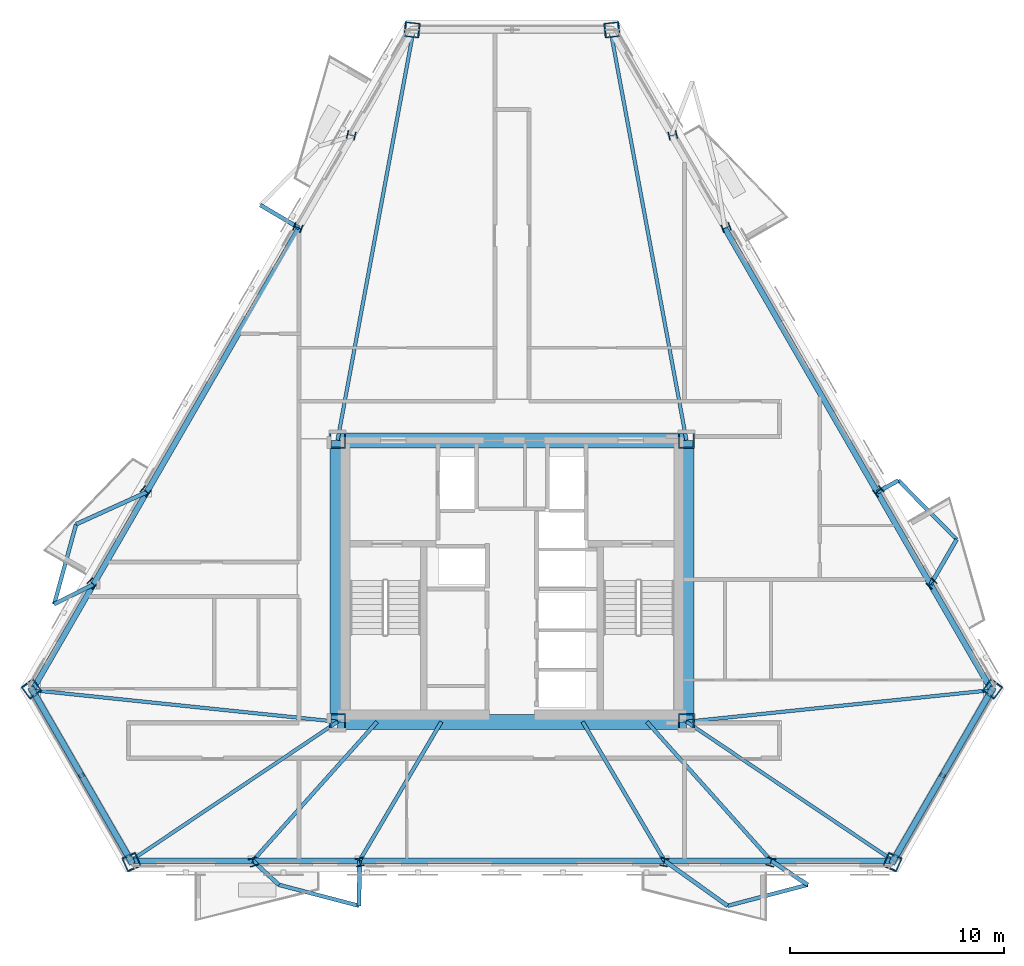
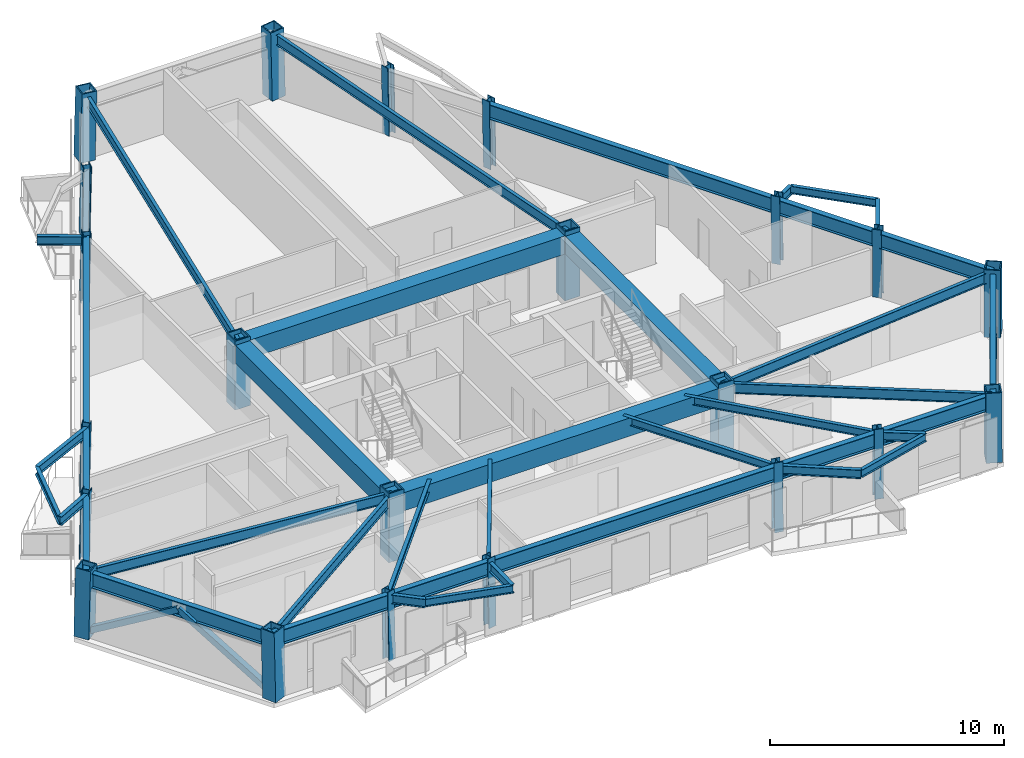
# One storey, part 1 of 9: 40 beams, 22 columns, 4 members.
"""IFC4 building model written with IfcOpenShell, lengths in metres."""

from ifc_helpers import new_model, si_unit, direction, frame, origin, origin_2d, place, context, subcontext, project, spatial, rectangle, hollow_rectangle, i_section, extrude, material, material_profile, profile_set, type_object, element, save


model = new_model("IFC4")

# Units and contexts
model_context = context("Model", 3, precision=1e-05, world=origin(), true_north=direction((0.0, 1.0)))
body_context = subcontext(model_context, "Body", "Model", "MODEL_VIEW")
ifc_project = project(units=[si_unit("LENGTHUNIT", "METRE"), si_unit("AREAUNIT", "SQUARE_METRE"), si_unit("VOLUMEUNIT", "CUBIC_METRE"), si_unit("PLANEANGLEUNIT", "RADIAN"), si_unit("MASSUNIT", "GRAM", prefix="KILO")], contexts=[model_context])

# Site, building, storey
site_placement = place(None, origin())
site = spatial("IfcSite", under=ifc_project, at=site_placement, CompositionType="ELEMENT")
building_placement = place(site_placement, origin())
building = spatial("IfcBuilding", under=site, at=building_placement, Name="Oramaril Tower", CompositionType="ELEMENT")
storey_placement = place(building_placement, frame((0.0, 0.0, 153.0)))
storey = spatial("IfcBuildingStorey", under=building, at=storey_placement, Name="L40", CompositionType="ELEMENT", Elevation=153.0)

# Columns
ifc_material_1 = material(Name="Steel ASTM A572 Gr 50", Category="steel")
ifc_material_profile_1 = material_profile(ifc_material_1, hollow_rectangle(XDim=0.75, YDim=0.75, WallThickness=0.06005859375, at=origin_2d()), Name="BOX750X750X60")
ifc_profile_set_1 = profile_set([ifc_material_profile_1], Name="Steel ASTM A572 Gr 50")
column_type_1 = type_object("IfcColumnType", Name="CT-CC4", PredefinedType="COLUMN", material=ifc_profile_set_1)
for number, where, z_axis, x_axis, name in (
    (1, (29.35009765625, 11.0, 0.0), (0.0, 0.0, 1.0), (1.0, 0.0, 0.0), "L40 Core Column CC-1"),
    (2, (45.64990234375, 11.0, 0.0), (0.0, 0.0, 1.0), (1.0, 0.0, 0.0), "L40 Core Column CC-2"),
    (3, (45.64990234375, 24.14990234375, 0.0), (0.0, 0.0, 1.0), (1.0, 0.0, 0.0), "L40 Core Column CC-3"),
    (4, (29.35009765625, 24.14990234375, 0.0), (0.0, 0.0, 1.0), (1.0, 0.0, 0.0), "L40 Core Column CC-4"),
):
    element("IfcColumn", number, at=place(storey_placement, frame(where, z_axis=z_axis, x_axis=x_axis)), inside=storey, type_object=column_type_1, Name=name, PredefinedType="COLUMN", context=body_context, shape_type="SweptSolid", body=[
        extrude(hollow_rectangle(XDim=0.75, YDim=0.75, WallThickness=0.06005859375, at=origin_2d()), origin(), (0.0, 0.0, 1.0), 3.60009765625),
    ])
ifc_material_2 = material(Name="Steel ASTM A572 Gr 50", Category="steel")
ifc_material_profile_2 = material_profile(ifc_material_2, hollow_rectangle(XDim=0.699951171875, YDim=0.699951171875, WallThickness=0.054931640625, at=origin_2d()), Name="BOX700X700X55")
ifc_profile_set_2 = profile_set([ifc_material_profile_2], Name="Steel ASTM A572 Gr 50")
column_type_2 = type_object("IfcColumnType", Name="CT-TC4", PredefinedType="COLUMN", material=ifc_profile_set_2)
for number, where, z_axis, x_axis, name in (
    (5, (15.048095703125, 12.5439453125, 0.00439453125), (0.013797331752, -0.018758933811, 0.999728831253), (0.805569064221, 0.592501884191, 0.0), "L40 Tube Column TC-01"),
    (6, (19.730224609375, 4.43408203125, 0.00439453125), (-0.009311500184, 0.021341686553, 0.999728877436), (-0.916558831729, -0.399899872442, 0.0), "L40 Tube Column TC-02"),
    (7, (55.269775390625, 4.43408203125, 0.00439453125), (0.009311500184, 0.021341686553, 0.999728877436), (-0.916558831729, 0.399899872442, 0.0), "L40 Tube Column TC-03"),
    (8, (59.951904296875, 12.5439453125, 0.00439453125), (-0.013797331752, -0.018758933811, 0.999728831253), (0.805569064221, -0.592501884191, 0.0), "L40 Tube Column TC-04"),
    (9, (42.18212890625, 43.322021484375, 0.00439453125), (-0.023108849708, -0.002582753791, 0.999729618671), (0.111073132196, -0.993812235437, 0.0), "L40 Tube Column TC-05"),
    (10, (32.81787109375, 43.322021484375, 0.00439453125), (0.023108849708, -0.002582753791, 0.999729618671), (0.111073132196, 0.993812235437, 0.0), "L40 Tube Column TC-06"),
):
    element("IfcColumn", number, at=place(storey_placement, frame(where, z_axis=z_axis, x_axis=x_axis)), inside=storey, type_object=column_type_2, Name=name, PredefinedType="COLUMN", context=body_context, shape_type="SweptSolid", body=[
        extrude(hollow_rectangle(XDim=0.699951171875, YDim=0.699951171875, WallThickness=0.054931640625, at=origin_2d()), origin(), (0.0, 0.0, 1.0), 3.592041015625),
    ])
ifc_material_3 = material(Name="Steel ASTM A572 Gr 50", Category="steel")
ifc_material_profile_3 = material_profile(ifc_material_3, i_section(OverallWidth=0.39892578125, OverallDepth=0.385986328125, WebThickness=0.02099609375, FlangeThickness=0.033203125, at=origin_2d()), Name="W14X176")
ifc_profile_set_3 = profile_set([ifc_material_profile_3], Name="Steel ASTM A572 Gr 50")
column_type_3 = type_object("IfcColumnType", Name="CT-TF4", PredefinedType="COLUMN", material=ifc_profile_set_3)
column_1_placement = place(storey_placement, frame((25.41650390625, 4.43408203125, 0.00439453125), z_axis=(-0.006321093137, 0.02134218543, 0.99975224676), x_axis=(-0.958828912572, -0.283984359456, 0.0)))
element("IfcColumn", 11, at=column_1_placement, inside=storey, type_object=column_type_3, Name="L40 Tube Column TC-07", PredefinedType="COLUMN", context=body_context, shape_type="SweptSolid", body=[
    extrude(i_section(OverallWidth=0.39892578125, OverallDepth=0.385986328125, WebThickness=0.02099609375, FlangeThickness=0.033203125, at=origin_2d()), origin(), (0.0, 0.0, 1.0), 3.592041015625),
])
for number, where, z_axis, x_axis, name in (
    (12, (30.39208984375, 4.43408203125, 0.00439453125), (-0.003738329451, 0.021342462686, 0.999765234532), (-0.985003822672, -0.17253251671, 0.0), "L40 Tube Column TC-08"),
    (13, (44.60791015625, 4.43408203125, 0.00439453125), (0.003738329451, 0.021342462686, 0.999765234532), (-0.985003822672, 0.17253251671, 0.0), "L40 Tube Column TC-09"),
):
    element("IfcColumn", number, at=place(storey_placement, frame(where, z_axis=z_axis, x_axis=x_axis)), inside=storey, type_object=column_type_3, Name=name, PredefinedType="COLUMN", context=body_context, shape_type="SweptSolid", body=[
        extrude(i_section(OverallWidth=0.39892578125, OverallDepth=0.385986328125, WebThickness=0.02099609375, FlangeThickness=0.033203125, at=origin_2d()), origin(), (0.0, 0.0, 1.0), 3.591796875),
    ])
for number, where, z_axis, x_axis, name in (
    (14, (49.58349609375, 4.43408203125, 0.00439453125), (0.006321093137, 0.02134218543, 0.99975224676), (-0.958828912572, 0.283984359456, 0.0), "L40 Tube Column TC-10"),
    (15, (57.10888671875, 17.468505859375, 0.00439453125), (-0.015360919156, -0.016176543182, 0.999751149843), (0.725151558483, -0.68858929503, 0.0), "L40 Tube Column TC-11"),
):
    element("IfcColumn", number, at=place(storey_placement, frame(where, z_axis=z_axis, x_axis=x_axis)), inside=storey, type_object=column_type_3, Name=name, PredefinedType="COLUMN", context=body_context, shape_type="SweptSolid", body=[
        extrude(i_section(OverallWidth=0.39892578125, OverallDepth=0.385986328125, WebThickness=0.02099609375, FlangeThickness=0.033203125, at=origin_2d()), origin(), (0.0, 0.0, 1.0), 3.592041015625),
    ])
for number, where, z_axis, x_axis, name in (
    (16, (54.62109375, 21.77734375, 0.00439453125), (-0.016652541963, -0.013933759602, 0.999764243804), (0.641722632674, -0.766936804903, 0.0), "L40 Tube Column TC-12"),
    (17, (47.51318359375, 34.088623046875, 0.00439453125), (-0.020322934204, -0.007408695078, 0.999766017417), (0.34249983262, -0.939517889481, 0.0), "L40 Tube Column TC-13"),
):
    element("IfcColumn", number, at=place(storey_placement, frame(where, z_axis=z_axis, x_axis=x_axis)), inside=storey, type_object=column_type_3, Name=name, PredefinedType="COLUMN", context=body_context, shape_type="SweptSolid", body=[
        extrude(i_section(OverallWidth=0.39892578125, OverallDepth=0.385986328125, WebThickness=0.02099609375, FlangeThickness=0.033203125, at=origin_2d()), origin(), (0.0, 0.0, 1.0), 3.591796875),
    ])
for number, where, z_axis, x_axis, name in (
    (18, (45.025390625, 38.397705078125, 0.00439453125), (-0.02168200686, -0.005233587863, 0.999751219122), (0.234640533104, -0.972082208573, 0.0), "L40 Tube Column TC-14"),
    (19, (29.974609375, 38.397705078125, 0.00439453125), (0.02168200686, -0.005233587863, 0.999751219122), (0.234640533104, 0.972082208573, 0.0), "L40 Tube Column TC-15"),
):
    element("IfcColumn", number, at=place(storey_placement, frame(where, z_axis=z_axis, x_axis=x_axis)), inside=storey, type_object=column_type_3, Name=name, PredefinedType="COLUMN", context=body_context, shape_type="SweptSolid", body=[
        extrude(i_section(OverallWidth=0.39892578125, OverallDepth=0.385986328125, WebThickness=0.02099609375, FlangeThickness=0.033203125, at=origin_2d()), origin(), (0.0, 0.0, 1.0), 3.592041015625),
    ])
for number, where, z_axis, x_axis, name in (
    (20, (27.48681640625, 34.088623046875, 0.00439453125), (0.020322934204, -0.007408695078, 0.999766017417), (0.34249983262, 0.939517889481, 0.0), "L40 Tube Column TC-16"),
    (21, (20.37890625, 21.77734375, 0.00439453125), (0.016652541963, -0.013933759602, 0.999764243804), (0.641722632674, 0.766936804903, 0.0), "L40 Tube Column TC-17"),
):
    element("IfcColumn", number, at=place(storey_placement, frame(where, z_axis=z_axis, x_axis=x_axis)), inside=storey, type_object=column_type_3, Name=name, PredefinedType="COLUMN", context=body_context, shape_type="SweptSolid", body=[
        extrude(i_section(OverallWidth=0.39892578125, OverallDepth=0.385986328125, WebThickness=0.02099609375, FlangeThickness=0.033203125, at=origin_2d()), origin(), (0.0, 0.0, 1.0), 3.591796875),
    ])
column_2_placement = place(storey_placement, frame((17.89111328125, 17.468505859375, 0.00439453125), z_axis=(0.015360919156, -0.016176543182, 0.999751149843), x_axis=(0.725151558483, 0.68858929503, 0.0)))
element("IfcColumn", 22, at=column_2_placement, inside=storey, type_object=column_type_3, Name="L40 Tube Column TC-18", PredefinedType="COLUMN", context=body_context, shape_type="SweptSolid", body=[
    extrude(i_section(OverallWidth=0.39892578125, OverallDepth=0.385986328125, WebThickness=0.02099609375, FlangeThickness=0.033203125, at=origin_2d()), origin(), (0.0, 0.0, 1.0), 3.592041015625),
])

# Beams
ifc_material_4 = material(Name="Steel ASTM A572 Gr 50", Category="steel")
ifc_material_profile_4 = material_profile(ifc_material_4, i_section(OverallWidth=0.19091796875, OverallDepth=0.45703125, WebThickness=0.009033203125, FlangeThickness=0.014404296875, at=origin_2d()), Name="W18X50")
ifc_profile_set_4 = profile_set([ifc_material_profile_4], Name="Steel ASTM A572 Gr 50")
beam_type_1 = type_object("IfcBeamType", Name="BT-BB1", PredefinedType="BEAM", material=ifc_profile_set_4)
beam_1_placement = place(storey_placement, frame((25.393798828125, 4.5107421875, 3.151611328125), z_axis=(0.732971770745, -0.680259056015, 0.0), x_axis=(0.680259056015, 0.732971770745, 0.0)))
element("IfcBeam", 23, at=beam_1_placement, inside=storey, type_object=beam_type_1, Name="L40 Balcony Column-Framed Cantilever 01.1", PredefinedType="BEAM", context=body_context, shape_type="SweptSolid", body=[
    extrude(i_section(OverallWidth=0.19091796875, OverallDepth=0.45703125, WebThickness=0.009033203125, FlangeThickness=0.014404296875, at=origin_2d()), origin(), (0.0, 0.0, 1.0), 1.658203125),
])
beam_2_placement = place(storey_placement, frame((30.378662109375, 4.5107421875, 3.151611328125), z_axis=(-0.012043133503, -0.999927478838, 0.0), x_axis=(0.999927478838, -0.012043133503, 0.0)))
element("IfcBeam", 24, at=beam_2_placement, inside=storey, type_object=beam_type_1, Name="L40 Balcony Column-Framed Cantilever 01.2", PredefinedType="BEAM", context=body_context, shape_type="SweptSolid", body=[
    extrude(i_section(OverallWidth=0.19091796875, OverallDepth=0.45703125, WebThickness=0.009033203125, FlangeThickness=0.014404296875, at=origin_2d()), origin(), (0.0, 0.0, 1.0), 2.1083984375),
])
beam_3_placement = place(storey_placement, frame((44.621337890625, 4.5107421875, 3.151611328125), z_axis=(0.813642479288, -0.581365561328, 0.0), x_axis=(0.581365561328, 0.813642479288, 0.0)))
element("IfcBeam", 25, at=beam_3_placement, inside=storey, type_object=beam_type_1, Name="L40 Balcony Column-Framed Cantilever 02.1", PredefinedType="BEAM", context=body_context, shape_type="SweptSolid", body=[
    extrude(i_section(OverallWidth=0.19091796875, OverallDepth=0.45703125, WebThickness=0.009033203125, FlangeThickness=0.014404296875, at=origin_2d()), origin(), (0.0, 0.0, 1.0), 3.626220703125),
])
beam_4_placement = place(storey_placement, frame((49.606201171875, 4.5107421875, 3.151611328125), z_axis=(0.834717890754, -0.550677803125, 0.0), x_axis=(0.550677803125, 0.834717890754, 0.0)))
element("IfcBeam", 26, at=beam_4_placement, inside=storey, type_object=beam_type_1, Name="L40 Balcony Column-Framed Cantilever 02.2", PredefinedType="BEAM", context=body_context, shape_type="SweptSolid", body=[
    extrude(i_section(OverallWidth=0.19091796875, OverallDepth=0.45703125, WebThickness=0.009033203125, FlangeThickness=0.014404296875, at=origin_2d()), origin(), (0.0, 0.0, 1.0), 2.04833984375),
])
beam_5_placement = place(storey_placement, frame((57.0537109375, 17.410400390625, 3.151611328125), z_axis=(0.500573448592, 0.865694069845, 0.0), x_axis=(-0.865694069845, 0.500573448592, 0.0)))
element("IfcBeam", 27, at=beam_5_placement, inside=storey, type_object=beam_type_1, Name="L40 Balcony Column-Framed Cantilever 03.1", PredefinedType="BEAM", context=body_context, shape_type="SweptSolid", body=[
    extrude(i_section(OverallWidth=0.19091796875, OverallDepth=0.45703125, WebThickness=0.009033203125, FlangeThickness=0.014404296875, at=origin_2d()), origin(), (0.0, 0.0, 1.0), 2.433349609375),
])
beam_6_placement = place(storey_placement, frame((54.561279296875, 21.727294921875, 3.151611328125), z_axis=(0.877100608103, 0.480306697086, 0.0), x_axis=(-0.480306697086, 0.877100608103, 0.0)))
element("IfcBeam", 28, at=beam_6_placement, inside=storey, type_object=beam_type_1, Name="L40 Balcony Column-Framed Cantilever 03.2", PredefinedType="BEAM", context=body_context, shape_type="SweptSolid", body=[
    extrude(i_section(OverallWidth=0.19091796875, OverallDepth=0.45703125, WebThickness=0.009033203125, FlangeThickness=0.014404296875, at=origin_2d()), origin(), (0.0, 0.0, 1.0), 1.12841796875),
])
beam_7_placement = place(storey_placement, frame((27.559814453125, 34.06201171875, 3.151611328125), z_axis=(-0.859935762585, 0.510402276864, 0.0), x_axis=(-0.510402276864, -0.859935762585, 0.0)))
element("IfcBeam", 29, at=beam_7_placement, inside=storey, type_object=beam_type_1, Name="L40 Balcony Column-Framed Cantilever 05.2", PredefinedType="BEAM", context=body_context, shape_type="SweptSolid", body=[
    extrude(i_section(OverallWidth=0.19091796875, OverallDepth=0.45703125, WebThickness=0.009033203125, FlangeThickness=0.014404296875, at=origin_2d()), origin(), (0.0, 0.0, 1.0), 2.10791015625),
])
beam_8_placement = place(storey_placement, frame((20.438720703125, 21.727294921875, 3.151611328125), z_axis=(-0.910313439315, -0.41391960838, 0.0), x_axis=(0.41391960838, -0.910313439315, 0.0)))
element("IfcBeam", 30, at=beam_8_placement, inside=storey, type_object=beam_type_1, Name="L40 Balcony Column-Framed Cantilever 06.1", PredefinedType="BEAM", context=body_context, shape_type="SweptSolid", body=[
    extrude(i_section(OverallWidth=0.19091796875, OverallDepth=0.45703125, WebThickness=0.009033203125, FlangeThickness=0.014404296875, at=origin_2d()), origin(), (0.0, 0.0, 1.0), 3.626220703125),
])
beam_9_placement = place(storey_placement, frame((17.9462890625, 17.410400390625, 3.151611328125), z_axis=(-0.894307965847, -0.447451966385, 0.0), x_axis=(0.447451966385, -0.894307965847, 0.0)))
element("IfcBeam", 31, at=beam_9_placement, inside=storey, type_object=beam_type_1, Name="L40 Balcony Column-Framed Cantilever 06.2", PredefinedType="BEAM", context=body_context, shape_type="SweptSolid", body=[
    extrude(i_section(OverallWidth=0.19091796875, OverallDepth=0.45703125, WebThickness=0.009033203125, FlangeThickness=0.014404296875, at=origin_2d()), origin(), (0.0, 0.0, 1.0), 2.04833984375),
])
ifc_material_5 = material(Name="Concrete C50/60", Category="concrete")
ifc_material_profile_5 = material_profile(ifc_material_5, rectangle(XDim=0.699951171875, YDim=0.949951171875, at=origin_2d()), Name="CB700X950")
ifc_profile_set_5 = profile_set([ifc_material_profile_5], Name="Concrete C50/60")
beam_type_2 = type_object("IfcBeamType", Name="BT-CB1", PredefinedType="BEAM", material=ifc_profile_set_5)
beam_10_placement = place(storey_placement, frame((29.35009765625, 11.0, 2.905029296875), z_axis=(1.0, 0.0, 0.0), x_axis=(0.0, 1.0, 0.0)))
element("IfcBeam", 32, at=beam_10_placement, inside=storey, type_object=beam_type_2, Name="L40 Core Header Beam CB-1", PredefinedType="BEAM", context=body_context, shape_type="SweptSolid", body=[
    extrude(rectangle(XDim=0.699951171875, YDim=0.949951171875, at=origin_2d()), origin(), (0.0, 0.0, 1.0), 16.2998046875),
])
beam_11_placement = place(storey_placement, frame((45.64990234375, 11.0, 2.905029296875), z_axis=(0.0, 1.0, 0.0), x_axis=(-1.0, 0.0, 0.0)))
element("IfcBeam", 33, at=beam_11_placement, inside=storey, type_object=beam_type_2, Name="L40 Core Header Beam CB-2", PredefinedType="BEAM", context=body_context, shape_type="SweptSolid", body=[
    extrude(rectangle(XDim=0.699951171875, YDim=0.949951171875, at=origin_2d()), origin(), (0.0, 0.0, 1.0), 13.14990234375),
])
beam_12_placement = place(storey_placement, frame((45.64990234375, 24.14990234375, 2.905029296875), z_axis=(-1.0, 0.0, 0.0), x_axis=(0.0, -1.0, 0.0)))
element("IfcBeam", 34, at=beam_12_placement, inside=storey, type_object=beam_type_2, Name="L40 Core Header Beam CB-3", PredefinedType="BEAM", context=body_context, shape_type="SweptSolid", body=[
    extrude(rectangle(XDim=0.699951171875, YDim=0.949951171875, at=origin_2d()), origin(), (0.0, 0.0, 1.0), 16.2998046875),
])
beam_13_placement = place(storey_placement, frame((29.35009765625, 24.14990234375, 2.905029296875), z_axis=(0.0, -1.0, 0.0), x_axis=(1.0, 0.0, 0.0)))
element("IfcBeam", 35, at=beam_13_placement, inside=storey, type_object=beam_type_2, Name="L40 Core Header Beam CB-4", PredefinedType="BEAM", context=body_context, shape_type="SweptSolid", body=[
    extrude(rectangle(XDim=0.699951171875, YDim=0.949951171875, at=origin_2d()), origin(), (0.0, 0.0, 1.0), 13.14990234375),
])
ifc_material_6 = material(Name="Steel ASTM A572 Gr 50", Category="steel")
ifc_material_profile_6 = material_profile(ifc_material_6, i_section(OverallWidth=0.166015625, OverallDepth=0.528076171875, WebThickness=0.009765625, FlangeThickness=0.013671875, at=origin_2d()), Name="W21X50")
ifc_profile_set_6 = profile_set([ifc_material_profile_6], Name="Steel ASTM A572 Gr 50")
beam_type_3 = type_object("IfcBeamType", Name="BT-FB3", PredefinedType="BEAM", material=ifc_profile_set_6)
beam_14_placement = place(storey_placement, frame((29.35009765625, 11.0, 3.115966796875), z_axis=(-0.99467626742, 0.103049129216, 0.0), x_axis=(-0.103049129216, -0.99467626742, 0.0)))
element("IfcBeam", 36, at=beam_14_placement, inside=storey, type_object=beam_type_3, Name="L40 Radial Primary Beam RB-01", PredefinedType="BEAM", context=body_context, shape_type="SweptSolid", body=[
    extrude(i_section(OverallWidth=0.166015625, OverallDepth=0.528076171875, WebThickness=0.009765625, FlangeThickness=0.013671875, at=origin_2d()), origin(), (0.0, 0.0, 1.0), 14.32861328125),
])
for number, where, z_axis, x_axis, name in (
    (37, (29.35009765625, 11.0, 3.115966796875), (-0.829912942068, -0.557892918568, 0.0), (0.557892918568, -0.829912942068, 0.0), "L40 Radial Primary Beam RB-02"),
    (38, (45.64990234375, 11.0, 3.115966796875), (0.829912942068, -0.557892918568, 0.0), (0.557892918568, 0.829912942068, 0.0), "L40 Radial Primary Beam RB-03"),
):
    element("IfcBeam", number, at=place(storey_placement, frame(where, z_axis=z_axis, x_axis=x_axis)), inside=storey, type_object=beam_type_3, Name=name, PredefinedType="BEAM", context=body_context, shape_type="SweptSolid", body=[
        extrude(i_section(OverallWidth=0.166015625, OverallDepth=0.528076171875, WebThickness=0.009765625, FlangeThickness=0.013671875, at=origin_2d()), origin(), (0.0, 0.0, 1.0), 11.6318359375),
    ])
beam_15_placement = place(storey_placement, frame((45.64990234375, 11.0, 3.115966796875), z_axis=(0.99467626742, 0.103049129216, 0.0), x_axis=(-0.103049129216, 0.99467626742, 0.0)))
element("IfcBeam", 39, at=beam_15_placement, inside=storey, type_object=beam_type_3, Name="L40 Radial Primary Beam RB-04", PredefinedType="BEAM", context=body_context, shape_type="SweptSolid", body=[
    extrude(i_section(OverallWidth=0.166015625, OverallDepth=0.528076171875, WebThickness=0.009765625, FlangeThickness=0.013671875, at=origin_2d()), origin(), (0.0, 0.0, 1.0), 14.32861328125),
])
for number, where, z_axis, x_axis, name in (
    (40, (45.64990234375, 24.14990234375, 3.115966796875), (-0.18219377882, 0.983262643936, 0.0), (-0.983262643936, -0.18219377882, 0.0), "L40 Radial Primary Beam RB-05"),
    (41, (29.35009765625, 24.14990234375, 3.115966796875), (0.18219377882, 0.983262643936, 0.0), (-0.983262643936, 0.18219377882, 0.0), "L40 Radial Primary Beam RB-06"),
):
    element("IfcBeam", number, at=place(storey_placement, frame(where, z_axis=z_axis, x_axis=x_axis)), inside=storey, type_object=beam_type_3, Name=name, PredefinedType="BEAM", context=body_context, shape_type="SweptSolid", body=[
        extrude(i_section(OverallWidth=0.166015625, OverallDepth=0.528076171875, WebThickness=0.009765625, FlangeThickness=0.013671875, at=origin_2d()), origin(), (0.0, 0.0, 1.0), 19.489013671875),
    ])
ifc_material_7 = material(Name="Steel ASTM A572 Gr 50", Category="steel")
ifc_material_profile_7 = material_profile(ifc_material_7, i_section(OverallWidth=0.177978515625, OverallDepth=0.404052734375, WebThickness=0.007568359375, FlangeThickness=0.010986328125, at=origin_2d()), Name="W16X36")
ifc_profile_set_7 = profile_set([ifc_material_profile_7], Name="Steel ASTM A572 Gr 50")
beam_type_4 = type_object("IfcBeamType", Name="BT-SB1", PredefinedType="BEAM", material=ifc_profile_set_7)
beam_16_placement = place(storey_placement, frame((31.199951171875, 11.0, 3.177978515625), z_axis=(-0.66679322034, -0.745242780112, 0.0), x_axis=(0.745242780112, -0.66679322034, 0.0)))
element("IfcBeam", 42, at=beam_16_placement, inside=storey, type_object=beam_type_4, Name="L40 Secondary Floor Beam SB-01", PredefinedType="BEAM", context=body_context, shape_type="SweptSolid", body=[
    extrude(i_section(OverallWidth=0.177978515625, OverallDepth=0.404052734375, WebThickness=0.007568359375, FlangeThickness=0.010986328125, at=origin_2d()), origin(), (0.0, 0.0, 1.0), 8.70751953125),
])
for number, where, z_axis, x_axis, name in (
    (43, (34.199951171875, 11.0, 3.177978515625), (-0.507422433808, -0.861697437427, 0.0), (0.861697437427, -0.507422433808, 0.0), "L40 Secondary Floor Beam SB-02"),
    (44, (40.800048828125, 11.0, 3.177978515625), (0.507422433808, -0.861697437427, 0.0), (0.861697437427, 0.507422433808, 0.0), "L40 Secondary Floor Beam SB-03"),
):
    element("IfcBeam", number, at=place(storey_placement, frame(where, z_axis=z_axis, x_axis=x_axis)), inside=storey, type_object=beam_type_4, Name=name, PredefinedType="BEAM", context=body_context, shape_type="SweptSolid", body=[
        extrude(i_section(OverallWidth=0.177978515625, OverallDepth=0.404052734375, WebThickness=0.007568359375, FlangeThickness=0.010986328125, at=origin_2d()), origin(), (0.0, 0.0, 1.0), 7.53076171875),
    ])
beam_17_placement = place(storey_placement, frame((43.800048828125, 11.0, 3.177978515625), z_axis=(0.66679322034, -0.745242780112, 0.0), x_axis=(0.745242780112, 0.66679322034, 0.0)))
element("IfcBeam", 45, at=beam_17_placement, inside=storey, type_object=beam_type_4, Name="L40 Secondary Floor Beam SB-04", PredefinedType="BEAM", context=body_context, shape_type="SweptSolid", body=[
    extrude(i_section(OverallWidth=0.177978515625, OverallDepth=0.404052734375, WebThickness=0.007568359375, FlangeThickness=0.010986328125, at=origin_2d()), origin(), (0.0, 0.0, 1.0), 8.70751953125),
])
for number, where, z_axis, x_axis, name in (
    (46, (26.609130859375, 3.3828125, 3.177978515625), (0.967396513976, -0.253266627779, 0.0), (0.253266627779, 0.967396513976, 0.0), "L40 Balcony Edge Tie Beam 01"),
    (47, (47.57177734375, 2.402587890625, 3.177978515625), (0.967396513976, 0.253266627779, 0.0), (-0.253266627779, 0.967396513976, 0.0), "L40 Balcony Edge Tie Beam 02"),
):
    element("IfcBeam", number, at=place(storey_placement, frame(where, z_axis=z_axis, x_axis=x_axis)), inside=storey, type_object=beam_type_4, Name=name, PredefinedType="BEAM", context=body_context, shape_type="SweptSolid", body=[
        extrude(i_section(OverallWidth=0.177978515625, OverallDepth=0.404052734375, WebThickness=0.007568359375, FlangeThickness=0.010986328125, at=origin_2d()), origin(), (0.0, 0.0, 1.0), 3.870361328125),
    ])
for number, where, z_axis, x_axis, name in (
    (48, (58.271728515625, 19.516845703125, 3.177978515625), (-0.702994511648, 0.71119527318, 0.0), (-0.71119527318, -0.702994511648, 0.0), "L40 Balcony Edge Tie Beam 03"),
    (49, (17.1376953125, 20.226318359375, 3.177978515625), (-0.264382243015, -0.964417974521, 0.0), (0.964417974521, -0.264382243015, 0.0), "L40 Balcony Edge Tie Beam 06"),
):
    element("IfcBeam", number, at=place(storey_placement, frame(where, z_axis=z_axis, x_axis=x_axis)), inside=storey, type_object=beam_type_4, Name=name, PredefinedType="BEAM", context=body_context, shape_type="SweptSolid", body=[
        extrude(i_section(OverallWidth=0.177978515625, OverallDepth=0.404052734375, WebThickness=0.007568359375, FlangeThickness=0.010986328125, at=origin_2d()), origin(), (0.0, 0.0, 1.0), 3.8701171875),
    ])
ifc_material_8 = material(Name="Steel ASTM A572 Gr 50", Category="steel")
ifc_material_profile_8 = material_profile(ifc_material_8, i_section(OverallWidth=0.26708984375, OverallDepth=0.77001953125, WebThickness=0.015625, FlangeThickness=0.025390625, at=origin_2d()), Name="W30X132")
ifc_profile_set_8 = profile_set([ifc_material_profile_8], Name="Steel ASTM A572 Gr 50")
beam_type_5 = type_object("IfcBeamType", Name="BT-SP3", PredefinedType="SPANDREL", material=ifc_profile_set_8)
beam_18_placement = place(storey_placement, frame((15.09765625, 12.4765625, 2.9951171875), z_axis=(0.500004288242, -0.866022927952, 0.0), x_axis=(0.866022927952, 0.500004288242, 0.0)))
element("IfcBeam", 50, at=beam_18_placement, inside=storey, type_object=beam_type_5, Name="L40 Perimeter Spandrel 01", PredefinedType="SPANDREL", context=body_context, shape_type="SweptSolid", body=[
    extrude(i_section(OverallWidth=0.26708984375, OverallDepth=0.77001953125, WebThickness=0.015625, FlangeThickness=0.025390625, at=origin_2d()), origin(), (0.0, 0.0, 1.0), 9.1982421875),
])
beam_19_placement = place(storey_placement, frame((19.69677734375, 4.5107421875, 2.9951171875), z_axis=(1.0, 0.0, 0.0), x_axis=(0.0, 1.0, 0.0)))
element("IfcBeam", 51, at=beam_19_placement, inside=storey, type_object=beam_type_5, Name="L40 Perimeter Spandrel 02", PredefinedType="SPANDREL", context=body_context, shape_type="SweptSolid", body=[
    extrude(i_section(OverallWidth=0.26708984375, OverallDepth=0.77001953125, WebThickness=0.015625, FlangeThickness=0.025390625, at=origin_2d()), origin(), (0.0, 0.0, 1.0), 5.697021484375),
])
beam_20_placement = place(storey_placement, frame((25.393798828125, 4.5107421875, 2.9951171875), z_axis=(1.0, 0.0, 0.0), x_axis=(0.0, 1.0, 0.0)))
element("IfcBeam", 52, at=beam_20_placement, inside=storey, type_object=beam_type_5, Name="L40 Perimeter Spandrel 03", PredefinedType="SPANDREL", context=body_context, shape_type="SweptSolid", body=[
    extrude(i_section(OverallWidth=0.26708984375, OverallDepth=0.77001953125, WebThickness=0.015625, FlangeThickness=0.025390625, at=origin_2d()), origin(), (0.0, 0.0, 1.0), 4.98486328125),
])
beam_21_placement = place(storey_placement, frame((30.378662109375, 4.5107421875, 2.9951171875), z_axis=(1.0, 0.0, 0.0), x_axis=(0.0, 1.0, 0.0)))
element("IfcBeam", 53, at=beam_21_placement, inside=storey, type_object=beam_type_5, Name="L40 Perimeter Spandrel 04", PredefinedType="SPANDREL", context=body_context, shape_type="SweptSolid", body=[
    extrude(i_section(OverallWidth=0.26708984375, OverallDepth=0.77001953125, WebThickness=0.015625, FlangeThickness=0.025390625, at=origin_2d()), origin(), (0.0, 0.0, 1.0), 14.24267578125),
])
beam_22_placement = place(storey_placement, frame((44.621337890625, 4.5107421875, 2.9951171875), z_axis=(1.0, 0.0, 0.0), x_axis=(0.0, 1.0, 0.0)))
element("IfcBeam", 54, at=beam_22_placement, inside=storey, type_object=beam_type_5, Name="L40 Perimeter Spandrel 05", PredefinedType="SPANDREL", context=body_context, shape_type="SweptSolid", body=[
    extrude(i_section(OverallWidth=0.26708984375, OverallDepth=0.77001953125, WebThickness=0.015625, FlangeThickness=0.025390625, at=origin_2d()), origin(), (0.0, 0.0, 1.0), 4.98486328125),
])
beam_23_placement = place(storey_placement, frame((49.606201171875, 4.5107421875, 2.9951171875), z_axis=(1.0, 0.0, 0.0), x_axis=(0.0, 1.0, 0.0)))
element("IfcBeam", 55, at=beam_23_placement, inside=storey, type_object=beam_type_5, Name="L40 Perimeter Spandrel 06", PredefinedType="SPANDREL", context=body_context, shape_type="SweptSolid", body=[
    extrude(i_section(OverallWidth=0.26708984375, OverallDepth=0.77001953125, WebThickness=0.015625, FlangeThickness=0.025390625, at=origin_2d()), origin(), (0.0, 0.0, 1.0), 5.697021484375),
])
beam_24_placement = place(storey_placement, frame((55.30322265625, 4.5107421875, 2.9951171875), z_axis=(0.500004288242, 0.866022927952, 0.0), x_axis=(-0.866022927952, 0.500004288242, 0.0)))
element("IfcBeam", 56, at=beam_24_placement, inside=storey, type_object=beam_type_5, Name="L40 Perimeter Spandrel 07", PredefinedType="SPANDREL", context=body_context, shape_type="SweptSolid", body=[
    extrude(i_section(OverallWidth=0.26708984375, OverallDepth=0.77001953125, WebThickness=0.015625, FlangeThickness=0.025390625, at=origin_2d()), origin(), (0.0, 0.0, 1.0), 9.1982421875),
])
beam_25_placement = place(storey_placement, frame((59.90234375, 12.4765625, 2.9951171875), z_axis=(-0.500010555013, 0.866019309759, 0.0), x_axis=(-0.866019309759, -0.500010555013, 0.0)))
element("IfcBeam", 57, at=beam_25_placement, inside=storey, type_object=beam_type_5, Name="L40 Perimeter Spandrel 08", PredefinedType="SPANDREL", context=body_context, shape_type="SweptSolid", body=[
    extrude(i_section(OverallWidth=0.26708984375, OverallDepth=0.77001953125, WebThickness=0.015625, FlangeThickness=0.025390625, at=origin_2d()), origin(), (0.0, 0.0, 1.0), 5.697265625),
])
beam_26_placement = place(storey_placement, frame((57.0537109375, 17.410400390625, 2.9951171875), z_axis=(-0.500010745865, 0.866019199568, 0.0), x_axis=(-0.866019199568, -0.500010745865, 0.0)))
element("IfcBeam", 58, at=beam_26_placement, inside=storey, type_object=beam_type_5, Name="L40 Perimeter Spandrel 09", PredefinedType="SPANDREL", context=body_context, shape_type="SweptSolid", body=[
    extrude(i_section(OverallWidth=0.26708984375, OverallDepth=0.77001953125, WebThickness=0.015625, FlangeThickness=0.025390625, at=origin_2d()), origin(), (0.0, 0.0, 1.0), 4.98486328125),
])
for number, where, z_axis, x_axis, name in (
    (59, (54.561279296875, 21.727294921875, 2.9951171875), (-0.499981131667, 0.866036297148, 0.0), (-0.866036297148, -0.499981131667, 0.0), "L40 Perimeter Spandrel 10"),
    (60, (27.559814453125, 34.06201171875, 2.9951171875), (-0.499981131667, -0.866036297148, 0.0), (0.866036297148, -0.499981131667, 0.0), "L40 Perimeter Spandrel 16"),
):
    element("IfcBeam", number, at=place(storey_placement, frame(where, z_axis=z_axis, x_axis=x_axis)), inside=storey, type_object=beam_type_5, Name=name, PredefinedType="SPANDREL", context=body_context, shape_type="SweptSolid", body=[
        extrude(i_section(OverallWidth=0.26708984375, OverallDepth=0.77001953125, WebThickness=0.015625, FlangeThickness=0.025390625, at=origin_2d()), origin(), (0.0, 0.0, 1.0), 14.24267578125),
    ])
beam_27_placement = place(storey_placement, frame((20.438720703125, 21.727294921875, 2.9951171875), z_axis=(-0.500010745865, -0.866019199568, 0.0), x_axis=(0.866019199568, -0.500010745865, 0.0)))
element("IfcBeam", 61, at=beam_27_placement, inside=storey, type_object=beam_type_5, Name="L40 Perimeter Spandrel 17", PredefinedType="SPANDREL", context=body_context, shape_type="SweptSolid", body=[
    extrude(i_section(OverallWidth=0.26708984375, OverallDepth=0.77001953125, WebThickness=0.015625, FlangeThickness=0.025390625, at=origin_2d()), origin(), (0.0, 0.0, 1.0), 4.98486328125),
])
beam_28_placement = place(storey_placement, frame((17.9462890625, 17.410400390625, 2.9951171875), z_axis=(-0.500010555013, -0.866019309759, 0.0), x_axis=(0.866019309759, -0.500010555013, 0.0)))
element("IfcBeam", 62, at=beam_28_placement, inside=storey, type_object=beam_type_5, Name="L40 Perimeter Spandrel 18", PredefinedType="SPANDREL", context=body_context, shape_type="SweptSolid", body=[
    extrude(i_section(OverallWidth=0.26708984375, OverallDepth=0.77001953125, WebThickness=0.015625, FlangeThickness=0.025390625, at=origin_2d()), origin(), (0.0, 0.0, 1.0), 5.697265625),
])

# Members
ifc_material_9 = material(Name="Steel ASTM A572 Gr 50", Category="steel")
ifc_material_profile_9 = material_profile(ifc_material_9, hollow_rectangle(XDim=0.300048828125, YDim=0.300048828125, WallThickness=0.01611328125, at=origin_2d()), Name="HSS300X300X16")
ifc_profile_set_9 = profile_set([ifc_material_profile_9], Name="Steel ASTM A572 Gr 50")
member_type = type_object("IfcMemberType", Name="MT-KB2", PredefinedType="BRACE", material=ifc_profile_set_9)
for number, where, z_axis, x_axis, name in (
    (63, (15.048095703125, 12.5439453125, 0.179931640625), (0.428502541831, -0.742204475678, 0.515284472818), (0.866030159197, 0.499991763293, 0.0), "L40 Perimeter Chevron Brace KB-1A"),
    (64, (19.730224609375, 4.43408203125, 0.179931640625), (-0.428502541831, 0.742204475678, 0.515284472818), (-0.866030159197, -0.499991763293, 0.0), "L40 Perimeter Chevron Brace KB-1B"),
    (65, (55.269775390625, 4.43408203125, 0.179931640625), (0.428502541831, 0.742204475678, 0.515284472818), (-0.866030159197, 0.499991763293, 0.0), "L40 Perimeter Chevron Brace KB-2A"),
    (66, (59.951904296875, 12.5439453125, 0.179931640625), (-0.428502541831, -0.742204475678, 0.515284472818), (0.866030159197, -0.499991763293, 0.0), "L40 Perimeter Chevron Brace KB-2B"),
):
    element("IfcMember", number, at=place(storey_placement, frame(where, z_axis=z_axis, x_axis=x_axis)), inside=storey, type_object=member_type, Name=name, PredefinedType="BRACE", context=body_context, shape_type="SweptSolid", body=[
        extrude(hollow_rectangle(XDim=0.300048828125, YDim=0.300048828125, WallThickness=0.01611328125, at=origin_2d()), origin(), (0.0, 0.0, 1.0), 5.46337890625),
    ])

save(model, "model.ifc")
